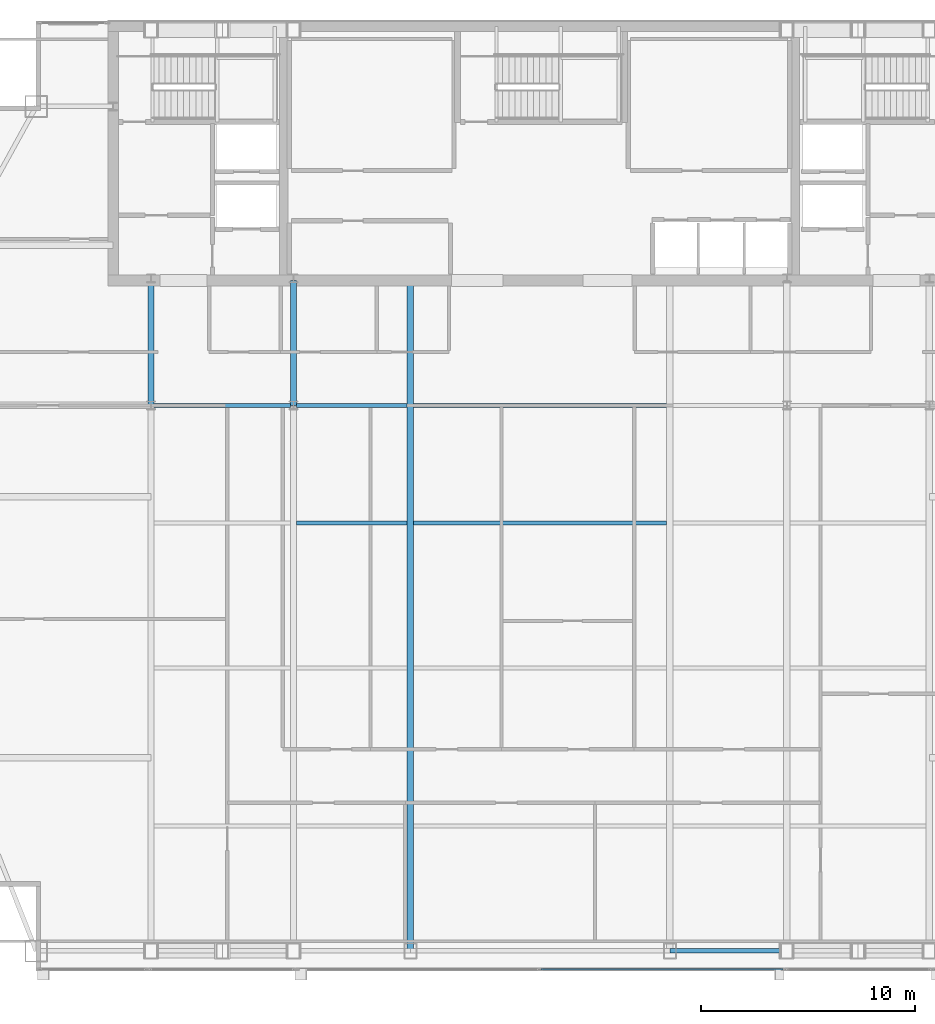
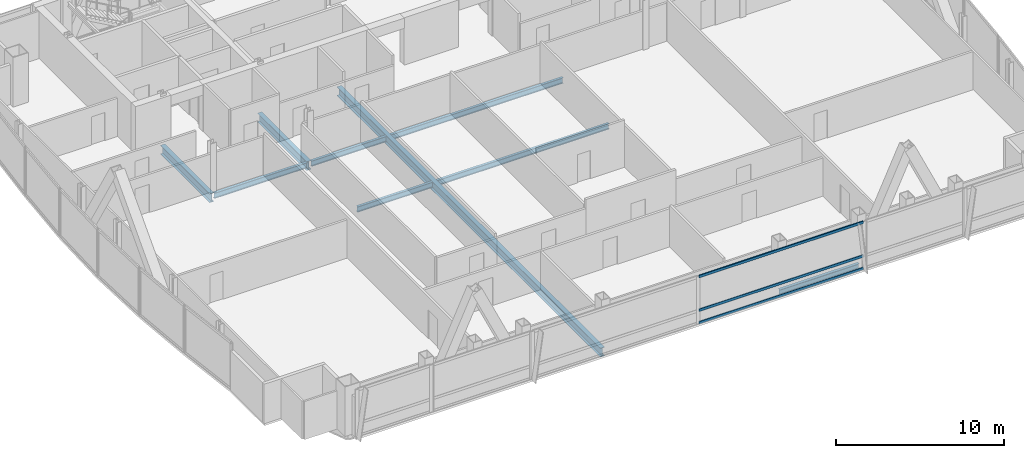
# One storey, part 13 of 30: 9 beams, 3 members, 1 element without a shape of its own.
"""IFC4 building model written with IfcOpenShell, lengths in metres."""

from ifc_helpers import new_model, si_unit, direction, frame, origin, origin_2d, place, context, subcontext, project, spatial, hollow_rectangle, i_section, extrude, material, material_profile, profile_set, type_object, element, aggregate, save


model = new_model("IFC4")

# Units and contexts
model_context = context("Model", 3, precision=1e-05, world=origin(), true_north=direction((0.0, 1.0)))
body_context = subcontext(model_context, "Body", "Model", "MODEL_VIEW")
ifc_project = project(units=[si_unit("LENGTHUNIT", "METRE"), si_unit("AREAUNIT", "SQUARE_METRE"), si_unit("VOLUMEUNIT", "CUBIC_METRE"), si_unit("PLANEANGLEUNIT", "RADIAN"), si_unit("MASSUNIT", "GRAM", prefix="KILO")], contexts=[model_context])

# Site, building, storey
site_placement = place(None, origin())
site = spatial("IfcSite", under=ifc_project, at=site_placement, CompositionType="ELEMENT")
building_placement = place(site_placement, origin())
building = spatial("IfcBuilding", under=site, at=building_placement, Name="Khoronbel Lancet Exchange", CompositionType="ELEMENT")
storey_placement = place(building_placement, frame((0.0, 0.0, 284.199951171875)))
storey = spatial("IfcBuildingStorey", under=building, at=storey_placement, Name="L73", CompositionType="ELEMENT", Elevation=284.199951171875)

# Beams
ifc_material_1 = material(Name="Steel S355", Category="steel")
ifc_material_profile_1 = material_profile(ifc_material_1, i_section(OverallWidth=0.300048828125, OverallDepth=0.64990234375, WebThickness=0.01611328125, FlangeThickness=0.031005859375, at=origin_2d()), Name="HEB 650")
ifc_profile_set_1 = profile_set([ifc_material_profile_1], Name="Steel S355")
beam_type_1 = type_object("IfcBeamType", Name="BM-BG4", PredefinedType="BEAM", material=ifc_profile_set_1)
for number, where, z_axis, x_axis, name in (
    (1, (18.22509765625, 35.699951171875, -0.48486328125), (0.0, 1.0, 0.0), (-1.0, 0.0, 0.0), "Level L73 spine tie girder GN1"),
    (2, (24.89990234375, 35.699951171875, -0.48486328125), (0.0, 1.0, 0.0), (-1.0, 0.0, 0.0), "Level L73 spine tie girder GN2"),
):
    element("IfcBeam", number, at=place(storey_placement, frame(where, z_axis=z_axis, x_axis=x_axis)), inside=storey, type_object=beam_type_1, Name=name, PredefinedType="BEAM", context=body_context, shape_type="SweptSolid", body=[
        extrude(i_section(OverallWidth=0.300048828125, OverallDepth=0.64990234375, WebThickness=0.01611328125, FlangeThickness=0.031005859375, at=origin_2d()), origin(), (0.0, 0.0, 1.0), 5.85009765625),
    ])
beam_1_placement = place(storey_placement, frame((30.375, 10.14990234375, -0.48486328125), z_axis=(0.0, 1.0, 0.0), x_axis=(-1.0, 0.0, 0.0)))
element("IfcBeam", 3, at=beam_1_placement, inside=storey, type_object=beam_type_1, Name="Level L73 primary floor girder G3", PredefinedType="BEAM", context=body_context, shape_type="SweptSolid", body=[
    extrude(i_section(OverallWidth=0.300048828125, OverallDepth=0.64990234375, WebThickness=0.01611328125, FlangeThickness=0.031005859375, at=origin_2d()), origin(), (0.0, 0.0, 1.0), 31.400146484375),
])
ifc_material_profile_2 = material_profile(ifc_material_1, i_section(OverallWidth=0.179931640625, OverallDepth=0.39990234375, WebThickness=0.008544921875, FlangeThickness=0.013427734375, at=origin_2d()), Name="IPE 400")
ifc_profile_set_2 = profile_set([ifc_material_profile_2], Name="Steel S355")
beam_type_2 = type_object("IfcBeamType", Name="BM-BJ5", PredefinedType="JOIST", material=ifc_profile_set_2)
beam_2_placement = place(storey_placement, frame((25.050048828125, 30.199951171875, -0.35986328125), z_axis=(1.0, 0.0, 0.0), x_axis=(0.0, 1.0, 0.0)))
element("IfcBeam", 4, at=beam_2_placement, inside=storey, type_object=beam_type_2, Name="Level L73 secondary composite joist J12", PredefinedType="JOIST", context=body_context, shape_type="SweptSolid", body=[
    extrude(i_section(OverallWidth=0.179931640625, OverallDepth=0.39990234375, WebThickness=0.008544921875, FlangeThickness=0.013427734375, at=origin_2d()), origin(), (0.0, 0.0, 1.0), 5.175048828125),
])
beam_3_placement = place(storey_placement, frame((30.52490234375, 30.199951171875, -0.35986328125), z_axis=(1.0, 0.0, 0.0), x_axis=(0.0, 1.0, 0.0)))
element("IfcBeam", 5, at=beam_3_placement, inside=storey, type_object=beam_type_2, Name="Level L73 secondary composite joist J13", PredefinedType="JOIST", context=body_context, shape_type="SweptSolid", body=[
    extrude(i_section(OverallWidth=0.179931640625, OverallDepth=0.39990234375, WebThickness=0.008544921875, FlangeThickness=0.013427734375, at=origin_2d()), origin(), (0.0, 0.0, 1.0), 11.85009765625),
])
beam_4_placement = place(storey_placement, frame((18.375, 35.699951171875, -0.35986328125), z_axis=(1.0, 0.0, 0.0), x_axis=(0.0, 1.0, 0.0)))
element("IfcBeam", 6, at=beam_4_placement, inside=storey, type_object=beam_type_2, Name="Level L73 secondary composite joist J16", PredefinedType="JOIST", context=body_context, shape_type="SweptSolid", body=[
    extrude(i_section(OverallWidth=0.179931640625, OverallDepth=0.39990234375, WebThickness=0.008544921875, FlangeThickness=0.013427734375, at=origin_2d()), origin(), (0.0, 0.0, 1.0), 6.375),
])
beam_5_placement = place(storey_placement, frame((25.050048828125, 35.699951171875, -0.35986328125), z_axis=(1.0, 0.0, 0.0), x_axis=(0.0, 1.0, 0.0)))
element("IfcBeam", 7, at=beam_5_placement, inside=storey, type_object=beam_type_2, Name="Level L73 secondary composite joist J17", PredefinedType="JOIST", context=body_context, shape_type="SweptSolid", body=[
    extrude(i_section(OverallWidth=0.179931640625, OverallDepth=0.39990234375, WebThickness=0.008544921875, FlangeThickness=0.013427734375, at=origin_2d()), origin(), (0.0, 0.0, 1.0), 5.175048828125),
])
beam_6_placement = place(storey_placement, frame((30.52490234375, 35.699951171875, -0.35986328125), z_axis=(1.0, 0.0, 0.0), x_axis=(0.0, 1.0, 0.0)))
element("IfcBeam", 8, at=beam_6_placement, inside=storey, type_object=beam_type_2, Name="Level L73 secondary composite joist J18", PredefinedType="JOIST", context=body_context, shape_type="SweptSolid", body=[
    extrude(i_section(OverallWidth=0.179931640625, OverallDepth=0.39990234375, WebThickness=0.008544921875, FlangeThickness=0.013427734375, at=origin_2d()), origin(), (0.0, 0.0, 1.0), 11.85009765625),
])
ifc_material_profile_3 = material_profile(ifc_material_1, i_section(OverallWidth=0.2099609375, OverallDepth=0.550048828125, WebThickness=0.010986328125, FlangeThickness=0.01708984375, at=origin_2d()), Name="IPE 550")
ifc_profile_set_3 = profile_set([ifc_material_profile_3], Name="Steel S355")
beam_type_3 = type_object("IfcBeamType", Name="BM-BSP3", PredefinedType="SPANDREL", material=ifc_profile_set_3)
beam_7_placement = place(storey_placement, frame((42.52490234375, 10.14990234375, -0.43505859375), z_axis=(1.0, 0.0, 0.0), x_axis=(0.0, 1.0, 0.0)))
element("IfcBeam", 9, at=beam_7_placement, inside=storey, type_object=beam_type_3, Name="Level L73 perimeter spandrel beam SP06", PredefinedType="SPANDREL", context=body_context, shape_type="SweptSolid", body=[
    extrude(i_section(OverallWidth=0.2099609375, OverallDepth=0.550048828125, WebThickness=0.010986328125, FlangeThickness=0.01708984375, at=origin_2d()), origin(), (0.0, 0.0, 1.0), 5.47509765625),
])

# Curtain wall, members
ifc_material_2 = material(Name="Low-E Solar Control Insulating Glass", Category="glass")
curtain_wall_type = type_object("IfcCurtainWallType", Name="CW-3", PredefinedType="NOTDEFINED", material=ifc_material_2)
curtain_wall_placement = place(storey_placement, origin())
curtain_wall = element("IfcCurtainWall", 10, at=curtain_wall_placement, inside=storey, type_object=curtain_wall_type, Name="Unitised curtain wall CW-L73-SCV", PredefinedType="NOTDEFINED")
ifc_material_3 = material(Name="Bronze-Anodised Aluminium 6063-T6", Category="aluminium")
ifc_material_profile_4 = material_profile(ifc_material_3, hollow_rectangle(XDim=0.0849609375, YDim=0.179931640625, WallThickness=0.0048828125, at=origin_2d()), Name="ALU TRANSOM 85x180")
ifc_profile_set_4 = profile_set([ifc_material_profile_4], Name="Bronze-Anodised Aluminium 6063-T6")
member_type = type_object("IfcMemberType", Name="MEM-CWT1", PredefinedType="USERDEFINED", material=ifc_profile_set_4)
member_1_placement = place(storey_placement, frame((36.492431640625, 9.2900390625, 0.04248046875), z_axis=(1.0, 0.0, 0.0), x_axis=(0.0, 1.0, 0.0)))
member_1 = element("IfcMember", 11, at=member_1_placement, type_object=member_type, Name="CW3 transom 2.1", ObjectType="TRANSOM", PredefinedType="USERDEFINED", context=body_context, shape_type="SweptSolid", body=[
    extrude(hollow_rectangle(XDim=0.0849609375, YDim=0.179931640625, WallThickness=0.0048828125, at=origin_2d()), origin(), (0.0, 0.0, 1.0), 11.322509765625),
])
member_2_placement = place(storey_placement, frame((36.492431640625, 9.2900390625, 0.949951171875), z_axis=(1.0, 0.0, 0.0), x_axis=(0.0, 1.0, 0.0)))
member_2 = element("IfcMember", 12, at=member_2_placement, type_object=member_type, Name="CW3 transom 2.2", ObjectType="TRANSOM", PredefinedType="USERDEFINED", context=body_context, shape_type="SweptSolid", body=[
    extrude(hollow_rectangle(XDim=0.0849609375, YDim=0.179931640625, WallThickness=0.0048828125, at=origin_2d()), origin(), (0.0, 0.0, 1.0), 11.322509765625),
])
member_3_placement = place(storey_placement, frame((36.492431640625, 9.2900390625, 3.3974609375), z_axis=(1.0, 0.0, 0.0), x_axis=(0.0, 1.0, 0.0)))
member_3 = element("IfcMember", 13, at=member_3_placement, type_object=member_type, Name="CW3 transom 2.3", ObjectType="TRANSOM", PredefinedType="USERDEFINED", context=body_context, shape_type="SweptSolid", body=[
    extrude(hollow_rectangle(XDim=0.0849609375, YDim=0.179931640625, WallThickness=0.0048828125, at=origin_2d()), origin(), (0.0, 0.0, 1.0), 11.322509765625),
])
aggregate(curtain_wall, [member_1, member_2, member_3])

save(model, "model.ifc")
